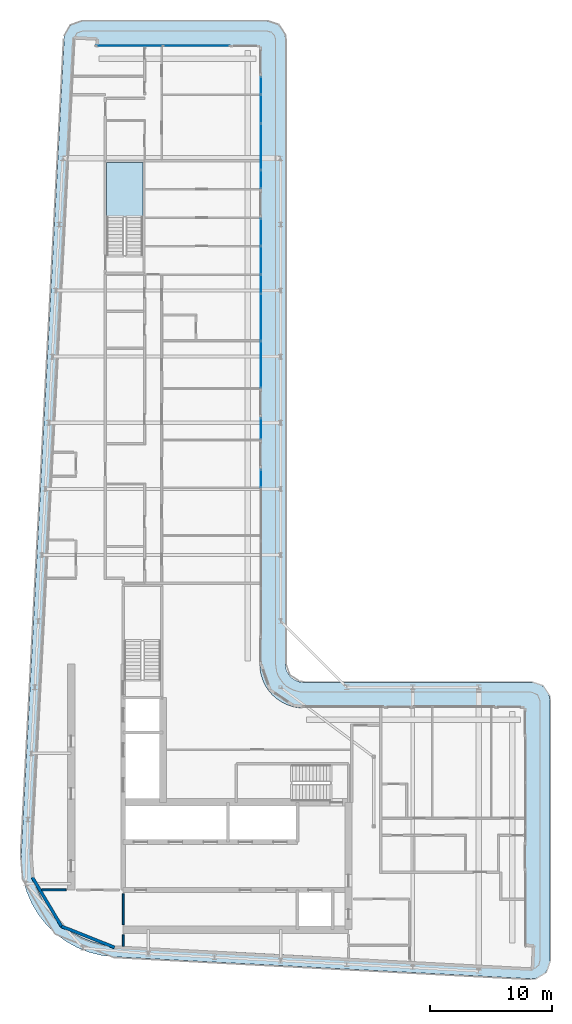
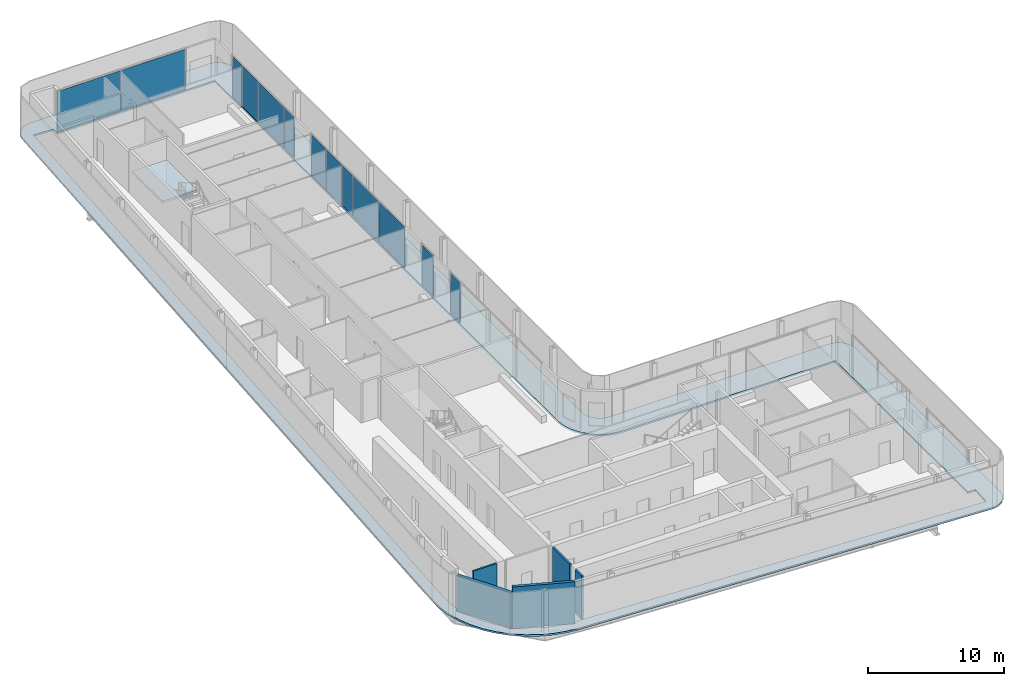
# One storey, part 10 of 21: 13 plates, 5 walls, 2 slabs, 8 elements without a shape of their own.
"""IFC4 building model written with IfcOpenShell, lengths in metres."""

from ifc_helpers import new_model, si_unit, direction, frame, frame_2d, origin, origin_2d, place, context, subcontext, project, spatial, polyline, rectangle, outline, extrude, material, layer, layer_set, type_object, element, aggregate, save


model = new_model("IFC4")

# Units and contexts
model_context = context("Model", 3, precision=1e-05, world=origin(), true_north=direction((0.0, 1.0)))
body_context = subcontext(model_context, "Body", "Model", "MODEL_VIEW")
ifc_project = project(units=[si_unit("LENGTHUNIT", "METRE"), si_unit("AREAUNIT", "SQUARE_METRE"), si_unit("VOLUMEUNIT", "CUBIC_METRE"), si_unit("PLANEANGLEUNIT", "RADIAN"), si_unit("MASSUNIT", "GRAM", prefix="KILO")], contexts=[model_context])

# Site, building, storey
site_placement = place(None, origin())
site = spatial("IfcSite", under=ifc_project, at=site_placement, CompositionType="ELEMENT")
building_placement = place(site_placement, origin())
building = spatial("IfcBuilding", under=site, at=building_placement, Name="Kheshtan School and Residences Tower", CompositionType="ELEMENT")
storey_placement = place(building_placement, frame((0.0, 0.0, 317.60009765625)))
storey = spatial("IfcBuildingStorey", under=building, at=storey_placement, Name="L75", CompositionType="ELEMENT", Elevation=317.60009765625)

# Curtain wall, plates
ifc_material_1 = material(Name="Clear low-e glass in thermally broken aluminium frame", Category="aluminium")
ifc_layer_1 = layer(ifc_material_1, 0.199951171875)
ifc_layer_set_1 = layer_set([ifc_layer_1], Name="Curtain wall CW-L")
curtain_wall_type = type_object("IfcCurtainWallType", Name="Curtain wall CW-L", PredefinedType="NOTDEFINED", material=ifc_layer_set_1)
curtain_wall_1_placement = place(storey_placement, origin())
curtain_wall_1 = element("IfcCurtainWall", 1, at=curtain_wall_1_placement, inside=storey, type_object=curtain_wall_type, Name="Curtain wall CWL7", PredefinedType="NOTDEFINED")
ifc_layer_2 = layer(ifc_material_1, 0.031982421875)
ifc_layer_set_2 = layer_set([ifc_layer_2], Name="CW-L glass panel")
plate_type = type_object("IfcPlateType", Name="CW-L glass panel", PredefinedType="CURTAIN_PANEL", material=ifc_layer_set_2)
plate_1_placement = place(storey_placement, frame((35.259033203125, 98.0, 0.0), z_axis=(0.0, 0.0, 1.0), x_axis=(1.0, 0.0, 0.0)))
plate_1 = element("IfcPlate", 2, at=plate_1_placement, type_object=plate_type, Name="CWL7 panel 1.1", PredefinedType="CURTAIN_PANEL", context=body_context, shape_type="SweptSolid", body=[
    extrude(rectangle(XDim=5.4140625, YDim=0.031982421875, at=origin_2d()), origin(), (0.0, 0.0, 1.0), 3.6298828125),
])
plate_2_placement = place(storey_placement, frame((40.73291015625, 98.0, 0.0), z_axis=(0.0, 0.0, 1.0), x_axis=(1.0, 0.0, 0.0)))
plate_2 = element("IfcPlate", 3, at=plate_2_placement, type_object=plate_type, Name="CWL7 panel 2.1", PredefinedType="CURTAIN_PANEL", context=body_context, shape_type="SweptSolid", body=[
    extrude(rectangle(XDim=5.4140625, YDim=0.031982421875, at=origin_2d()), origin(), (0.0, 0.0, 1.0), 3.6298828125),
])
aggregate(curtain_wall_1, [plate_1, plate_2])

curtain_wall_2_placement = place(storey_placement, origin())
curtain_wall_2 = element("IfcCurtainWall", 4, at=curtain_wall_2_placement, inside=storey, type_object=curtain_wall_type, Name="Curtain wall CWL8c", PredefinedType="NOTDEFINED")
plate_3_placement = place(storey_placement, frame((46.0, 94.735107421875, 0.0), z_axis=(0.0, 0.0, 1.0), x_axis=(0.0, -1.0, 0.0)))
plate_3 = element("IfcPlate", 5, at=plate_3_placement, type_object=plate_type, Name="CWL8c panel 1.1", PredefinedType="CURTAIN_PANEL", context=body_context, shape_type="SweptSolid", body=[
    extrude(rectangle(XDim=1.409912109375, YDim=0.031982421875, at=origin_2d()), origin(), (0.0, 0.0, 1.0), 3.6298828125),
])
plate_4_placement = place(storey_placement, frame((46.0, 92.826416015625, 0.0), z_axis=(0.0, 0.0, 1.0), x_axis=(0.0, -1.0, 0.0)))
plate_4 = element("IfcPlate", 6, at=plate_4_placement, type_object=plate_type, Name="CWL8c panel 2.1", PredefinedType="CURTAIN_PANEL", context=body_context, shape_type="SweptSolid", body=[
    extrude(rectangle(XDim=2.287109375, YDim=0.031982421875, at=origin_2d()), origin(), (0.0, 0.0, 1.0), 3.6298828125),
])
plate_5_placement = place(storey_placement, frame((46.0, 89.744384765625, 0.0), z_axis=(0.0, 0.0, 1.0), x_axis=(0.0, -1.0, 0.0)))
plate_5 = element("IfcPlate", 7, at=plate_5_placement, type_object=plate_type, Name="CWL8c panel 3.1", PredefinedType="CURTAIN_PANEL", context=body_context, shape_type="SweptSolid", body=[
    extrude(rectangle(XDim=3.757080078125, YDim=0.031982421875, at=origin_2d()), origin(), (0.0, 0.0, 1.0), 3.6298828125),
])
aggregate(curtain_wall_2, [plate_3, plate_4, plate_5])

# Curtain wall, plate
curtain_wall_3_placement = place(storey_placement, origin())
curtain_wall_3 = element("IfcCurtainWall", 8, at=curtain_wall_3_placement, inside=storey, type_object=curtain_wall_type, Name="Curtain wall CWL8a", PredefinedType="NOTDEFINED")
plate_6_placement = place(storey_placement, frame((46.0, 87.0859375, 0.0), z_axis=(0.0, 0.0, 1.0), x_axis=(0.0, -1.0, 0.0)))
plate_6 = element("IfcPlate", 9, at=plate_6_placement, type_object=plate_type, Name="CWL8a panel 1.1", PredefinedType="CURTAIN_PANEL", context=body_context, shape_type="SweptSolid", body=[
    extrude(rectangle(XDim=1.43994140625, YDim=0.031982421875, at=origin_2d()), origin(), (0.0, 0.0, 1.0), 3.6298828125),
])
aggregate(curtain_wall_3, [plate_6])

# Curtain wall, plates
curtain_wall_4_placement = place(storey_placement, origin())
curtain_wall_4 = element("IfcCurtainWall", 10, at=curtain_wall_4_placement, inside=storey, type_object=curtain_wall_type, Name="Curtain wall CWL8b", PredefinedType="NOTDEFINED")
plate_7_placement = place(storey_placement, frame((46.0, 82.75048828125, 0.0), z_axis=(0.0, 0.0, 1.0), x_axis=(0.0, -1.0, 0.0)))
plate_7 = element("IfcPlate", 11, at=plate_7_placement, type_object=plate_type, Name="CWL8b panel 1.1", PredefinedType="CURTAIN_PANEL", context=body_context, shape_type="SweptSolid", body=[
    extrude(rectangle(XDim=2.19091796875, YDim=0.031982421875, at=origin_2d()), origin(), (0.0, 0.0, 1.0), 3.6298828125),
])
plate_8_placement = place(storey_placement, frame((46.0, 80.46240234375, 0.0), z_axis=(0.0, 0.0, 1.0), x_axis=(0.0, -1.0, 0.0)))
plate_8 = element("IfcPlate", 12, at=plate_8_placement, type_object=plate_type, Name="CWL8b panel 2.1", PredefinedType="CURTAIN_PANEL", context=body_context, shape_type="SweptSolid", body=[
    extrude(rectangle(XDim=2.264892578125, YDim=0.031982421875, at=origin_2d()), origin(), (0.0, 0.0, 1.0), 3.6298828125),
])
plate_9_placement = place(storey_placement, frame((46.0, 78.52099609375, 0.0), z_axis=(0.0, 0.0, 1.0), x_axis=(0.0, -1.0, 0.0)))
plate_9 = element("IfcPlate", 13, at=plate_9_placement, type_object=plate_type, Name="CWL8b panel 3.1", PredefinedType="CURTAIN_PANEL", context=body_context, shape_type="SweptSolid", body=[
    extrude(rectangle(XDim=1.498046875, YDim=0.031982421875, at=origin_2d()), origin(), (0.0, 0.0, 1.0), 3.6298828125),
])
aggregate(curtain_wall_4, [plate_7, plate_8, plate_9])

curtain_wall_5_placement = place(storey_placement, origin())
curtain_wall_5 = element("IfcCurtainWall", 14, at=curtain_wall_5_placement, inside=storey, type_object=curtain_wall_type, Name="Curtain wall CWL8", PredefinedType="NOTDEFINED")
plate_10_placement = place(storey_placement, frame((46.0, 75.803466796875, 0.0), z_axis=(0.0, 0.0, 1.0), x_axis=(0.0, -1.0, 0.0)))
plate_10 = element("IfcPlate", 15, at=plate_10_placement, type_object=plate_type, Name="CWL8 panel 1.1", PredefinedType="CURTAIN_PANEL", context=body_context, shape_type="SweptSolid", body=[
    extrude(rectangle(XDim=3.81689453125, YDim=0.031982421875, at=origin_2d()), origin(), (0.0, 0.0, 1.0), 3.6298828125),
])
plate_11_placement = place(storey_placement, frame((46.0, 71.95654296875, 0.0), z_axis=(0.0, 0.0, 1.0), x_axis=(0.0, -1.0, 0.0)))
plate_11 = element("IfcPlate", 16, at=plate_11_placement, type_object=plate_type, Name="CWL8 panel 2.1", PredefinedType="CURTAIN_PANEL", context=body_context, shape_type="SweptSolid", body=[
    extrude(rectangle(XDim=3.757080078125, YDim=0.031982421875, at=origin_2d()), origin(), (0.0, 0.0, 1.0), 3.6298828125),
])
aggregate(curtain_wall_5, [plate_10, plate_11])

# Curtain wall, plate
curtain_wall_6_placement = place(storey_placement, origin())
curtain_wall_6 = element("IfcCurtainWall", 17, at=curtain_wall_6_placement, inside=storey, type_object=curtain_wall_type, Name="Curtain wall CWL8e", PredefinedType="NOTDEFINED")
plate_12_placement = place(storey_placement, frame((46.0, 66.718017578125, 0.0), z_axis=(0.0, 0.0, 1.0), x_axis=(0.0, -1.0, 0.0)))
plate_12 = element("IfcPlate", 18, at=plate_12_placement, type_object=plate_type, Name="CWL8e panel 1.1", PredefinedType="CURTAIN_PANEL", context=body_context, shape_type="SweptSolid", body=[
    extrude(rectangle(XDim=1.679931640625, YDim=0.031982421875, at=origin_2d()), origin(), (0.0, 0.0, 1.0), 3.6298828125),
])
aggregate(curtain_wall_6, [plate_12])

curtain_wall_7_placement = place(storey_placement, origin())
curtain_wall_7 = element("IfcCurtainWall", 19, at=curtain_wall_7_placement, inside=storey, type_object=curtain_wall_type, Name="Curtain wall CWL8m", PredefinedType="NOTDEFINED")
plate_13_placement = place(storey_placement, frame((46.0, 62.64404296875, 0.0), z_axis=(0.0, 0.0, 1.0), x_axis=(0.0, -1.0, 0.0)))
plate_13 = element("IfcPlate", 20, at=plate_13_placement, type_object=plate_type, Name="CWL8m panel 1.1", PredefinedType="CURTAIN_PANEL", context=body_context, shape_type="SweptSolid", body=[
    extrude(rectangle(XDim=1.427978515625, YDim=0.031982421875, at=origin_2d()), origin(), (0.0, 0.0, 1.0), 3.6298828125),
])
aggregate(curtain_wall_7, [plate_13])

# Slab
ifc_material_2 = material(Name="Concrete C40/50", Category="concrete")
ifc_layer_3 = layer(ifc_material_2, 0.14990234375)
ifc_layer_set_3 = layer_set([ifc_layer_3], Name="Loggia balcony slab 150 Concrete C40/50")
slab_type_1 = type_object("IfcSlabType", Name="Loggia balcony slab 150 Concrete C40/50", PredefinedType="FLOOR", material=ifc_layer_set_3)
slab_1_placement = place(storey_placement, frame((0.0, 0.0, -0.150146484375)))
element("IfcSlab", 21, at=slab_1_placement, inside=storey, type_object=slab_type_1, Name="Loggia balcony slab L75", PredefinedType="FLOOR", context=body_context, shape_type="SweptSolid", body=[
    extrude(outline(polyline([(28.4580078125, 26.222900390625), (28.45703125, 26.222900390625), (28.45703125, 26.22412109375), (28.4560546875, 26.22412109375), (27.81494140625, 27.0390625), (27.281005859375, 27.93798828125), (26.867919921875, 28.89990234375), (26.583984375, 29.89990234375), (26.583984375, 29.906982421875), (26.43408203125, 30.943115234375), (26.419921875, 31.989013671875), (29.925048828125, 98.5791015625), (29.930908203125, 98.626953125), (29.930908203125, 98.6279296875), (29.929931640625, 98.6279296875), (29.929931640625, 98.62890625), (29.928955078125, 98.62890625), (29.928955078125, 98.6298828125), (29.927978515625, 98.6298828125), (29.927978515625, 98.631103515625), (29.927001953125, 98.631103515625), (29.927001953125, 98.632080078125), (29.927001953125, 98.633056640625), (29.945068359375, 98.781005859375), (29.945068359375, 98.783935546875), (29.945068359375, 98.784912109375), (29.946044921875, 98.784912109375), (29.946044921875, 98.785888671875), (29.947021484375, 98.785888671875), (29.947021484375, 98.787109375), (29.947998046875, 98.787109375), (29.948974609375, 98.787109375), (29.948974609375, 98.7880859375), (29.949951171875, 98.7880859375), (29.949951171875, 98.7890625), (29.949951171875, 98.791015625), (30.0029296875, 98.98388671875), (30.083984375, 99.175048828125), (30.18896484375, 99.35302734375), (30.31103515625, 99.507080078125), (30.31201171875, 99.507080078125), (30.31201171875, 99.508056640625), (30.31298828125, 99.508056640625), (30.31298828125, 99.509033203125), (30.31396484375, 99.509033203125), (30.31396484375, 99.510009765625), (30.31494140625, 99.510009765625), (30.31494140625, 99.510986328125), (30.31591796875, 99.510986328125), (30.31591796875, 99.511962890625), (30.31689453125, 99.511962890625), (30.31689453125, 99.512939453125), (30.318115234375, 99.512939453125), (30.320068359375, 99.512939453125), (30.321044921875, 99.512939453125), (30.321044921875, 99.513916015625), (30.468017578125, 99.656982421875), (30.468994140625, 99.656982421875), (30.468994140625, 99.657958984375), (30.469970703125, 99.657958984375), (30.469970703125, 99.658935546875), (30.470947265625, 99.658935546875), (30.470947265625, 99.659912109375), (30.471923828125, 99.659912109375), (30.471923828125, 99.660888671875), (30.472900390625, 99.660888671875), (30.472900390625, 99.662109375), (30.47412109375, 99.662109375), (30.47412109375, 99.6630859375), (30.47509765625, 99.6630859375), (30.47509765625, 99.6640625), (30.635986328125, 99.777099609375), (30.820068359375, 99.873046875), (31.007080078125, 99.943115234375), (31.013916015625, 99.943115234375), (31.217041015625, 99.986083984375), (31.423095703125, 100.0), (46.5, 100.0), (46.696044921875, 99.987060546875), (46.887939453125, 99.948974609375), (46.89501953125, 99.948974609375), (47.073974609375, 99.885986328125), (47.242919921875, 99.801025390625), (47.243896484375, 99.801025390625), (47.2470703125, 99.801025390625), (47.248046875, 99.801025390625), (47.248046875, 99.802001953125), (47.2490234375, 99.802001953125), (47.2490234375, 99.802978515625), (47.25, 99.802978515625), (47.2529296875, 99.802978515625), (47.25390625, 99.802978515625), (47.25390625, 99.802001953125), (47.2548828125, 99.802001953125), (47.2548828125, 99.801025390625), (47.256103515625, 99.801025390625), (47.256103515625, 99.800048828125), (47.257080078125, 99.800048828125), (47.257080078125, 99.799072265625), (47.258056640625, 99.799072265625), (47.258056640625, 99.798095703125), (47.412109375, 99.696044921875), (47.4130859375, 99.696044921875), (47.4130859375, 99.695068359375), (47.4140625, 99.695068359375), (47.4140625, 99.694091796875), (47.4140625, 99.68994140625), (47.4140625, 99.68896484375), (47.4150390625, 99.68896484375), (47.4150390625, 99.68798828125), (47.416015625, 99.68798828125), (47.416015625, 99.68701171875), (47.4169921875, 99.68701171875), (47.4169921875, 99.68603515625), (47.554931640625, 99.568115234375), (47.554931640625, 99.56689453125), (47.555908203125, 99.56689453125), (47.555908203125, 99.56591796875), (47.556884765625, 99.56591796875), (47.556884765625, 99.56494140625), (47.55810546875, 99.56494140625), (47.55810546875, 99.56396484375), (47.55908203125, 99.56396484375), (47.55908203125, 99.56298828125), (47.56005859375, 99.56298828125), (47.56005859375, 99.56201171875), (47.56103515625, 99.56201171875), (47.56201171875, 99.56103515625), (47.56201171875, 99.56005859375), (47.56298828125, 99.56005859375), (47.56298828125, 99.55908203125), (47.56396484375, 99.55908203125), (47.56396484375, 99.55810546875), (47.56494140625, 99.55810546875), (47.56494140625, 99.556884765625), (47.56591796875, 99.556884765625), (47.56591796875, 99.555908203125), (47.56689453125, 99.555908203125), (47.56689453125, 99.554931640625), (47.568115234375, 99.554931640625), (47.68505859375, 99.41796875), (47.68603515625, 99.41796875), (47.68603515625, 99.4169921875), (47.68701171875, 99.4169921875), (47.68701171875, 99.416015625), (47.68798828125, 99.416015625), (47.68798828125, 99.4150390625), (47.68896484375, 99.4150390625), (47.68896484375, 99.4140625), (47.68994140625, 99.4140625), (47.694091796875, 99.4140625), (47.695068359375, 99.4140625), (47.695068359375, 99.4130859375), (47.696044921875, 99.4130859375), (47.696044921875, 99.412109375), (47.797119140625, 99.259033203125), (47.798095703125, 99.259033203125), (47.798095703125, 99.258056640625), (47.799072265625, 99.258056640625), (47.799072265625, 99.257080078125), (47.800048828125, 99.257080078125), (47.800048828125, 99.256103515625), (47.801025390625, 99.256103515625), (47.801025390625, 99.2548828125), (47.802001953125, 99.2548828125), (47.802001953125, 99.25390625), (47.802978515625, 99.25390625), (47.802978515625, 99.2529296875), (47.802978515625, 99.25), (47.802978515625, 99.2490234375), (47.802001953125, 99.2490234375), (47.802001953125, 99.248046875), (47.801025390625, 99.248046875), (47.801025390625, 99.2470703125), (47.801025390625, 99.243896484375), (47.801025390625, 99.242919921875), (47.885986328125, 99.073974609375), (47.948974609375, 98.89501953125), (47.948974609375, 98.887939453125), (47.987060546875, 98.696044921875), (48.0, 98.5), (48.0, 47.5), (48.012939453125, 47.303955078125), (48.051025390625, 47.113037109375), (48.051025390625, 47.10693359375), (48.051025390625, 47.10595703125), (48.114013671875, 46.926025390625), (48.200927734375, 46.75), (48.31005859375, 46.5869140625), (48.431884765625, 46.444091796875), (48.43310546875, 46.444091796875), (48.43310546875, 46.443115234375), (48.43408203125, 46.443115234375), (48.43408203125, 46.44189453125), (48.43505859375, 46.44189453125), (48.43505859375, 46.44091796875), (48.43603515625, 46.44091796875), (48.43603515625, 46.43994140625), (48.43701171875, 46.43994140625), (48.43701171875, 46.43896484375), (48.43798828125, 46.43896484375), (48.43896484375, 46.43798828125), (48.43896484375, 46.43701171875), (48.43994140625, 46.43701171875), (48.43994140625, 46.43603515625), (48.44091796875, 46.43603515625), (48.44091796875, 46.43505859375), (48.44189453125, 46.43505859375), (48.44189453125, 46.43408203125), (48.443115234375, 46.43408203125), (48.443115234375, 46.43310546875), (48.444091796875, 46.43310546875), (48.444091796875, 46.431884765625), (48.5869140625, 46.31005859375), (48.75, 46.200927734375), (48.926025390625, 46.114013671875), (49.10595703125, 46.051025390625), (49.10693359375, 46.051025390625), (49.113037109375, 46.051025390625), (49.303955078125, 46.012939453125), (49.5, 46.0), (68.10009765625, 46.0), (68.2958984375, 45.987060546875), (68.488037109375, 45.948974609375), (68.4951171875, 45.948974609375), (68.674072265625, 45.885986328125), (68.842041015625, 45.801025390625), (68.843017578125, 45.801025390625), (68.846923828125, 45.801025390625), (68.847900390625, 45.801025390625), (68.847900390625, 45.802001953125), (68.84912109375, 45.802001953125), (68.84912109375, 45.802978515625), (68.85009765625, 45.802978515625), (68.85302734375, 45.802978515625), (68.85400390625, 45.802978515625), (68.85400390625, 45.802001953125), (68.85498046875, 45.802001953125), (68.85498046875, 45.801025390625), (68.85595703125, 45.801025390625), (68.85595703125, 45.800048828125), (68.85693359375, 45.800048828125), (68.85693359375, 45.799072265625), (68.85791015625, 45.799072265625), (68.85791015625, 45.798095703125), (68.85888671875, 45.798095703125), (68.85888671875, 45.797119140625), (68.860107421875, 45.797119140625), (68.860107421875, 45.7958984375), (69.011962890625, 45.696044921875), (69.012939453125, 45.696044921875), (69.012939453125, 45.695068359375), (69.013916015625, 45.695068359375), (69.013916015625, 45.694091796875), (69.013916015625, 45.68994140625), (69.013916015625, 45.68896484375), (69.014892578125, 45.68896484375), (69.014892578125, 45.68798828125), (69.01611328125, 45.68798828125), (69.01611328125, 45.68701171875), (69.01708984375, 45.68701171875), (69.01708984375, 45.68603515625), (69.01806640625, 45.68603515625), (69.01806640625, 45.68505859375), (69.01904296875, 45.68505859375), (69.01904296875, 45.68408203125), (69.155029296875, 45.568115234375), (69.155029296875, 45.56689453125), (69.156005859375, 45.56689453125), (69.156005859375, 45.56591796875), (69.156982421875, 45.56591796875), (69.156982421875, 45.56494140625), (69.157958984375, 45.56494140625), (69.157958984375, 45.56396484375), (69.158935546875, 45.56396484375), (69.158935546875, 45.56298828125), (69.159912109375, 45.56298828125), (69.159912109375, 45.56201171875), (69.160888671875, 45.56201171875), (69.162109375, 45.56103515625), (69.162109375, 45.56005859375), (69.1630859375, 45.56005859375), (69.1630859375, 45.55908203125), (69.1640625, 45.55908203125), (69.1640625, 45.55810546875), (69.1650390625, 45.55810546875), (69.1650390625, 45.556884765625), (69.166015625, 45.556884765625), (69.166015625, 45.555908203125), (69.1669921875, 45.555908203125), (69.1669921875, 45.554931640625), (69.16796875, 45.554931640625), (69.281982421875, 45.4208984375), (69.282958984375, 45.4208984375), (69.282958984375, 45.419921875), (69.283935546875, 45.419921875), (69.283935546875, 45.4189453125), (69.284912109375, 45.4189453125), (69.284912109375, 45.41796875), (69.285888671875, 45.41796875), (69.285888671875, 45.4169921875), (69.287109375, 45.4169921875), (69.287109375, 45.416015625), (69.2880859375, 45.416015625), (69.2880859375, 45.4150390625), (69.2890625, 45.4150390625), (69.2890625, 45.4140625), (69.2900390625, 45.4140625), (69.2939453125, 45.4140625), (69.294921875, 45.4140625), (69.294921875, 45.4130859375), (69.2958984375, 45.4130859375), (69.2958984375, 45.412109375), (69.39404296875, 45.261962890625), (69.39501953125, 45.261962890625), (69.39501953125, 45.260986328125), (69.39599609375, 45.260986328125), (69.39599609375, 45.260009765625), (69.39697265625, 45.260009765625), (69.39697265625, 45.259033203125), (69.39794921875, 45.259033203125), (69.39794921875, 45.258056640625), (69.39892578125, 45.258056640625), (69.39892578125, 45.257080078125), (69.39990234375, 45.257080078125), (69.39990234375, 45.256103515625), (69.40087890625, 45.256103515625), (69.40087890625, 45.2548828125), (69.402099609375, 45.2548828125), (69.402099609375, 45.25390625), (69.403076171875, 45.25390625), (69.403076171875, 45.2529296875), (69.403076171875, 45.25), (69.403076171875, 45.2490234375), (69.402099609375, 45.2490234375), (69.402099609375, 45.248046875), (69.40087890625, 45.248046875), (69.40087890625, 45.2470703125), (69.40087890625, 45.240966796875), (69.40087890625, 45.239990234375), (69.486083984375, 45.073974609375), (69.549072265625, 44.89501953125), (69.549072265625, 44.887939453125), (69.5869140625, 44.696044921875), (69.60009765625, 44.5), (69.60009765625, 23.285888671875), (69.5859375, 23.083984375), (69.544921875, 22.885009765625), (69.544921875, 22.8779296875), (69.47802734375, 22.694091796875), (69.385986328125, 22.513916015625), (69.27099609375, 22.347900390625), (69.27099609375, 22.346923828125), (69.27099609375, 22.345947265625), (69.27099609375, 22.344970703125), (69.27197265625, 22.344970703125), (69.27197265625, 22.343994140625), (69.27197265625, 22.342041015625), (69.27197265625, 22.341064453125), (69.27099609375, 22.341064453125), (69.27099609375, 22.340087890625), (69.137939453125, 22.197021484375), (69.135009765625, 22.194091796875), (69.134033203125, 22.194091796875), (69.134033203125, 22.193115234375), (69.133056640625, 22.193115234375), (69.131103515625, 22.193115234375), (69.1298828125, 22.193115234375), (69.1298828125, 22.194091796875), (69.12890625, 22.194091796875), (69.1279296875, 22.194091796875), (69.126953125, 22.194091796875), (68.97607421875, 22.069091796875), (68.803955078125, 21.9619140625), (68.618896484375, 21.87890625), (68.430908203125, 21.822021484375), (68.424072265625, 21.822021484375), (68.22412109375, 21.791015625), (68.02099609375, 21.7880859375), (33.989013671875, 23.580078125), (33.94189453125, 23.5859375), (33.94091796875, 23.5859375), (33.93994140625, 23.5859375), (33.93994140625, 23.5849609375), (33.93896484375, 23.5849609375), (33.93896484375, 23.583984375), (33.93798828125, 23.583984375), (33.93798828125, 23.5830078125), (33.93701171875, 23.5830078125), (33.93701171875, 23.58203125), (33.93603515625, 23.58203125), (33.93505859375, 23.58203125), (32.952880859375, 23.697998046875), (32.949951171875, 23.697998046875), (32.948974609375, 23.697998046875), (32.948974609375, 23.698974609375), (32.947998046875, 23.698974609375), (32.947998046875, 23.699951171875), (32.947021484375, 23.699951171875), (32.947021484375, 23.700927734375), (32.947021484375, 23.702880859375), (32.947021484375, 23.7041015625), (32.946044921875, 23.7041015625), (32.946044921875, 23.705078125), (32.945068359375, 23.705078125), (32.944091796875, 23.705078125), (31.93603515625, 23.9609375), (31.928955078125, 23.9609375), (30.964111328125, 24.34912109375), (30.051025390625, 24.860107421875), (29.218994140625, 25.47900390625), (29.218994140625, 25.47998046875), (29.218017578125, 25.47998046875), (29.218017578125, 25.48095703125), (29.217041015625, 25.48095703125), (29.217041015625, 25.48193359375), (29.216064453125, 25.48193359375), (29.216064453125, 25.48291015625), (29.215087890625, 25.48291015625), (29.215087890625, 25.48388671875), (29.214111328125, 25.48388671875), (29.214111328125, 25.485107421875), (29.212890625, 25.485107421875), (29.212890625, 25.486083984375), (29.2119140625, 25.486083984375), (28.466064453125, 26.217041015625), (28.466064453125, 26.218017578125), (28.465087890625, 26.218017578125), (28.462890625, 26.218017578125), (28.4619140625, 26.218017578125), (28.4619140625, 26.218994140625), (28.4609375, 26.218994140625), (28.4609375, 26.219970703125), (28.4599609375, 26.219970703125), (28.4599609375, 26.220947265625), (28.458984375, 26.220947265625), (28.458984375, 26.221923828125), (28.4580078125, 26.221923828125), (28.4580078125, 26.222900390625)]), holes=[polyline([(29.12890625, 26.824951171875), (29.12890625, 26.823974609375), (29.1298828125, 26.823974609375), (29.1298828125, 26.822998046875), (29.131103515625, 26.822998046875), (29.131103515625, 26.822021484375), (29.132080078125, 26.822021484375), (29.132080078125, 26.821044921875), (29.133056640625, 26.821044921875), (29.133056640625, 26.820068359375), (29.134033203125, 26.820068359375), (29.794921875, 26.173095703125), (29.794921875, 26.172119140625), (29.7958984375, 26.172119140625), (29.798095703125, 26.172119140625), (29.799072265625, 26.172119140625), (29.799072265625, 26.1708984375), (29.800048828125, 26.1708984375), (29.800048828125, 26.169921875), (29.801025390625, 26.169921875), (29.801025390625, 26.1689453125), (29.802001953125, 26.1689453125), (29.802001953125, 26.16796875), (29.802978515625, 26.16796875), (29.802978515625, 26.1669921875), (29.803955078125, 26.1669921875), (29.803955078125, 26.166015625), (30.541015625, 25.616943359375), (31.35205078125, 25.1630859375), (32.208984375, 24.819091796875), (32.2099609375, 24.819091796875), (32.216064453125, 24.819091796875), (33.114990234375, 24.590087890625), (34.06591796875, 24.47705078125), (68.0380859375, 22.68798828125), (68.06494140625, 22.68896484375), (68.06591796875, 22.68896484375), (68.06689453125, 22.68896484375), (68.06689453125, 22.68994140625), (68.068115234375, 22.68994140625), (68.068115234375, 22.69091796875), (68.068115234375, 22.69189453125), (68.157958984375, 24.381103515625), (68.157958984375, 24.382080078125), (68.157958984375, 24.383056640625), (68.156982421875, 24.383056640625), (68.156982421875, 24.384033203125), (68.156005859375, 24.384033203125), (68.155029296875, 24.384033203125), (67.5009765625, 24.4189453125), (67.5, 24.4189453125), (67.5, 24.419921875), (67.5, 43.89794921875), (67.5, 43.89892578125), (67.4990234375, 43.89892578125), (67.4990234375, 43.89990234375), (67.498046875, 43.89990234375), (49.429931640625, 43.89990234375), (49.030029296875, 43.927001953125), (48.569091796875, 44.01806640625), (48.56201171875, 44.01806640625), (48.1201171875, 44.169921875), (47.697021484375, 44.37890625), (47.30810546875, 44.638916015625), (46.95703125, 44.944091796875), (46.95703125, 44.945068359375), (46.9560546875, 44.945068359375), (46.9560546875, 44.946044921875), (46.955078125, 44.946044921875), (46.955078125, 44.947021484375), (46.9541015625, 44.947021484375), (46.9541015625, 44.947998046875), (46.952880859375, 44.947998046875), (46.952880859375, 44.948974609375), (46.951904296875, 44.948974609375), (46.951904296875, 44.949951171875), (46.951904296875, 44.950927734375), (46.950927734375, 44.950927734375), (46.950927734375, 44.951904296875), (46.949951171875, 44.951904296875), (46.948974609375, 44.951904296875), (46.948974609375, 44.952880859375), (46.947998046875, 44.952880859375), (46.947998046875, 44.9541015625), (46.947021484375, 44.9541015625), (46.947021484375, 44.955078125), (46.946044921875, 44.955078125), (46.946044921875, 44.9560546875), (46.945068359375, 44.9560546875), (46.945068359375, 44.95703125), (46.944091796875, 44.95703125), (46.638916015625, 45.30810546875), (46.37890625, 45.697021484375), (46.169921875, 46.1201171875), (46.01806640625, 46.56201171875), (46.01806640625, 46.569091796875), (45.927001953125, 47.030029296875), (45.89990234375, 47.429931640625), (45.89990234375, 97.89794921875), (45.89990234375, 97.89892578125), (45.89892578125, 97.89892578125), (45.89892578125, 97.89990234375), (45.89794921875, 97.89990234375), (32.492919921875, 97.89990234375), (32.491943359375, 97.89990234375), (32.52099609375, 98.43896484375), (32.52099609375, 98.43994140625), (32.52099609375, 98.44091796875), (32.52001953125, 98.44091796875), (32.52001953125, 98.44189453125), (32.51904296875, 98.44189453125), (32.51806640625, 98.44189453125), (30.8291015625, 98.531982421875), (30.827880859375, 98.531982421875), (30.826904296875, 98.531982421875), (30.826904296875, 98.531005859375), (30.825927734375, 98.531005859375), (30.825927734375, 98.530029296875), (30.825927734375, 98.529052734375), (30.822021484375, 98.5009765625), (27.320068359375, 31.970947265625), (27.3330078125, 31.013916015625), (27.466064453125, 30.093994140625), (27.466064453125, 30.087890625), (27.466064453125, 30.0869140625), (27.718017578125, 29.200927734375), (28.0849609375, 28.345947265625), (28.55908203125, 27.550048828125), (29.126953125, 26.825927734375), (29.1279296875, 26.825927734375), (29.1279296875, 26.824951171875), (29.12890625, 26.824951171875)])]), origin(), (0.0, 0.0, 1.0), 0.150146484375),
])

# Stair, slab
stair_type = type_object("IfcStairType", Name="Exit stair, half-turn", PredefinedType="HALF_TURN_STAIR", material=ifc_material_2)
stair_placement = place(storey_placement, origin())
stair = element("IfcStair", 22, at=stair_placement, inside=storey, type_object=stair_type, Name="L75 Protected Exit Stair ST3", PredefinedType="HALF_TURN_STAIR")
ifc_layer_4 = layer(ifc_material_2, 0.199951171875)
ifc_layer_set_4 = layer_set([ifc_layer_4], Name="Stair landing 200 Concrete C40/50")
slab_type_2 = type_object("IfcSlabType", Name="Stair landing 200 Concrete C40/50", PredefinedType="LANDING", material=ifc_layer_set_4)
slab_2_placement = place(storey_placement, frame((0.0, 0.0, 1.75)))
slab_2 = element("IfcSlab", 23, at=slab_2_placement, type_object=slab_type_2, Name="ST3 landing 1", PredefinedType="LANDING", context=body_context, shape_type="SweptSolid", body=[
    extrude(outline(polyline([(36.35009765625, 83.97998046875), (36.35009765625, 88.4599609375), (33.39990234375, 88.4599609375), (33.39990234375, 83.97998046875), (36.35009765625, 83.97998046875)])), origin(), (0.0, 0.0, 1.0), 0.199951171875),
])
aggregate(stair, [slab_2])

# Walls
ifc_material_3 = material(Name="Concrete C40/50 with ceramic cladding and mineral wool insulation", Category="concrete")
ifc_layer_5 = layer(ifc_material_3, 0.25)
ifc_layer_set_5 = layer_set([ifc_layer_5], Name="External wall 250 ceramic clad")
wall_type_1 = type_object("IfcWallType", Name="External wall 250 ceramic clad", PredefinedType="SOLIDWALL", material=ifc_layer_set_5)
wall_1_placement = place(storey_placement, frame((34.0390625, 24.35302734375, 0.0), z_axis=(0.0, 0.0, 1.0), x_axis=(-0.929352825399, 0.369192803184, 0.0)))
element("IfcWall", 24, at=wall_1_placement, inside=storey, type_object=wall_type_1, Name="External wall L75 1", PredefinedType="SOLIDWALL", context=body_context, shape_type="SweptSolid", body=[
    extrude(rectangle(XDim=4.656005859375, YDim=0.25, at=frame_2d((2.328125, 0.0))), origin(), (0.0, 0.0, 1.0), 3.75),
])
wall_2_placement = place(storey_placement, frame((29.7119140625, 26.072021484375, 0.0), z_axis=(0.0, 0.0, 1.0), x_axis=(-0.511028049012, 0.859564036662, 0.0)))
element("IfcWall", 25, at=wall_2_placement, inside=storey, type_object=wall_type_1, Name="External wall L75 2", PredefinedType="SOLIDWALL", context=body_context, shape_type="SweptSolid", body=[
    extrude(rectangle(XDim=4.633544921875, YDim=0.25, at=frame_2d((2.31689453125, 0.0))), origin(), (0.0, 0.0, 1.0), 3.216796875),
])
ifc_material_4 = material(Name="Fire-board shaft wall system")
ifc_layer_6 = layer(ifc_material_4, 0.14990234375)
ifc_layer_set_6 = layer_set([ifc_layer_6], Name="Service room wall 150")
wall_type_2 = type_object("IfcWallType", Name="Service room wall 150", PredefinedType="PARTITIONING", material=ifc_layer_set_6)
wall_3_placement = place(storey_placement, frame((34.75, 24.444091796875, 0.0), z_axis=(0.0, 0.0, 1.0), x_axis=(0.0, 1.0, 0.0)))
element("IfcWall", 26, at=wall_3_placement, inside=storey, type_object=wall_type_2, Name="Service room wall", PredefinedType="PARTITIONING", context=body_context, shape_type="SweptSolid", body=[
    extrude(rectangle(XDim=0.935791015625, YDim=0.14990234375, at=frame_2d((0.4677734375, 0.0))), origin(), (0.0, 0.0, 1.0), 3.89990234375),
])
wall_4_placement = place(storey_placement, frame((34.75, 26.219970703125, 0.0), z_axis=(0.0, 0.0, 1.0), x_axis=(0.0, 1.0, 0.0)))
element("IfcWall", 27, at=wall_4_placement, inside=storey, type_object=wall_type_2, Name="Service room wall", PredefinedType="PARTITIONING", context=body_context, shape_type="SweptSolid", body=[
    extrude(rectangle(XDim=2.510009765625, YDim=0.14990234375, at=frame_2d((1.2548828125, 0.0))), origin(), (0.0, 0.0, 1.0), 3.89990234375),
])
wall_5_placement = place(storey_placement, frame((28.089111328125, 29.050048828125, 0.0), z_axis=(0.0, 0.0, 1.0), x_axis=(1.0, 0.0, 0.0)))
element("IfcWall", 28, at=wall_5_placement, inside=storey, type_object=wall_type_2, Name="Service room wall", PredefinedType="PARTITIONING", context=body_context, shape_type="SweptSolid", body=[
    extrude(rectangle(XDim=1.990966796875, YDim=0.14990234375, at=frame_2d((0.99560546875, 0.0))), origin(), (0.0, 0.0, 1.0), 3.89990234375),
])

save(model, "model.ifc")
